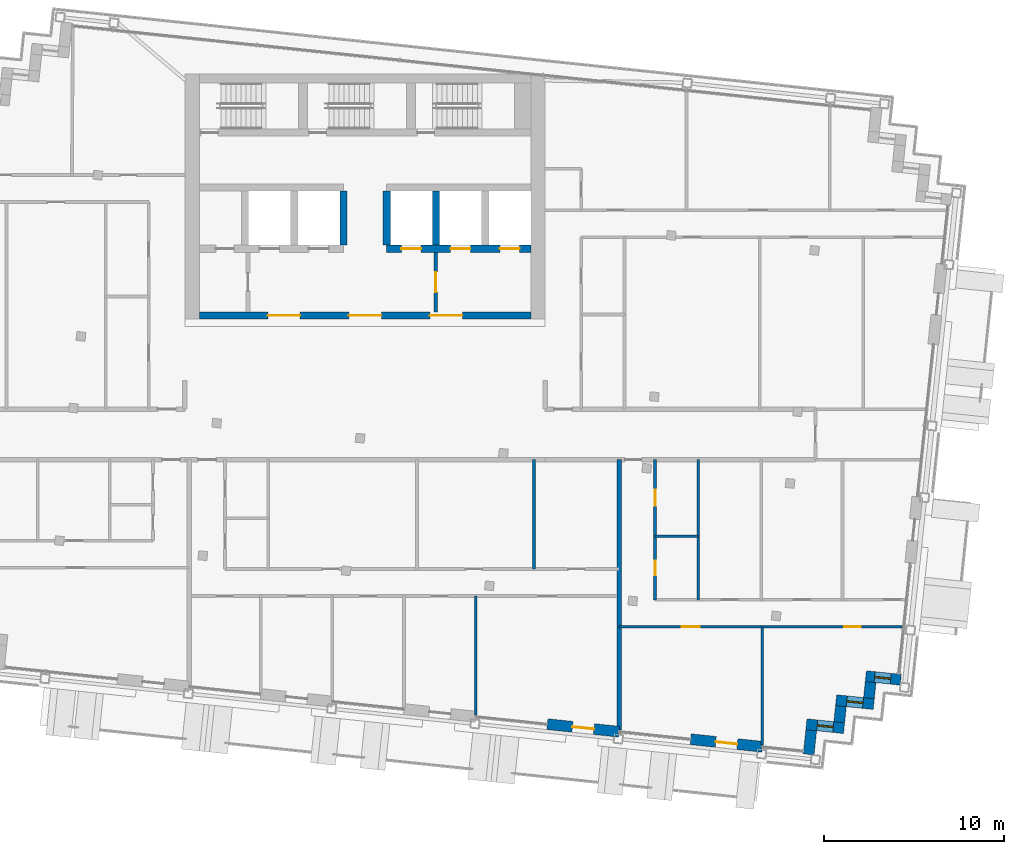
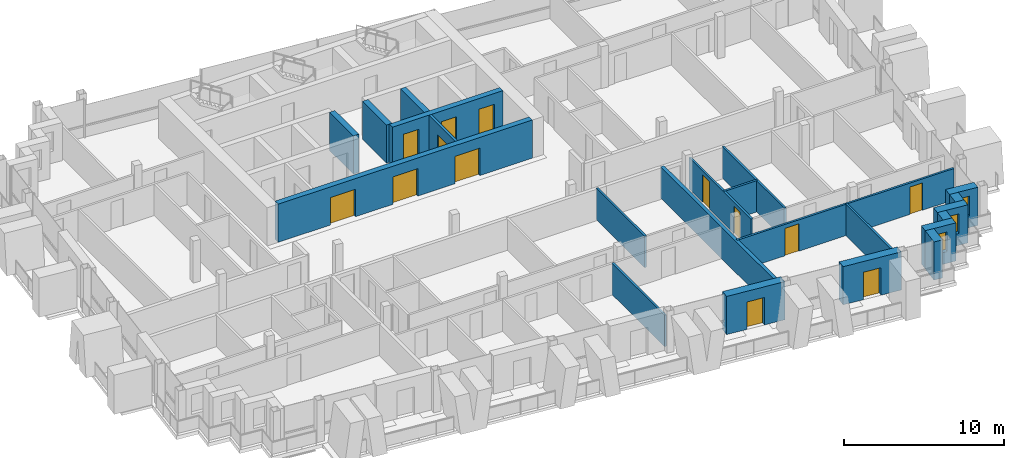
# One storey, part 10 of 16: 22 walls, 13 doors, 3 windows, 16 openings.
"""IFC4 building model written with IfcOpenShell, lengths in metres."""

import ifcopenshell
import ifcopenshell.guid

model = None  # the IFC model being written
_history = None  # IfcOwnerHistory: only IFC2X3 demands one
_inside = {}  # id of a spatial element -> (the spatial element, [elements in it])
_under = {}  # id of a project, library or spatial element -> (it, [spatial elements below it])
_declared = {}  # id of a project -> (the project, [libraries it declares])
_typed = {}  # id of a type object -> (the type object, [elements of that type])
_made_of = {}  # id of a material, layer set ... -> (it, [elements and type objects made of it])


def new_model(schema):
    """Start an empty IFC model of exactly this schema.

    Asked for "IFC4X3", IfcOpenShell would pick the latest addendum, in which some entities
    have other attributes; the version numbers below select the first issue.
    IFC2X3 requires an IfcOwnerHistory on every rooted entity: one is made here for all.
    """
    global model, _history
    if schema == "IFC4X3":
        model = ifcopenshell.file(schema_version=(4, 3, 0, 0))
    else:
        model = ifcopenshell.file(schema=schema)
    _inside.clear()
    _under.clear()
    _declared.clear()
    _typed.clear()
    _made_of.clear()
    _history = None
    if model.schema == "IFC2X3":
        org = make("IfcOrganization", Name="unknown")
        user = make(
            "IfcPersonAndOrganization",
            ThePerson=make("IfcPerson", FamilyName="unknown"),
            TheOrganization=org,
        )
        app = make(
            "IfcApplication",
            ApplicationDeveloper=org,
            Version="unknown",
            ApplicationFullName="unknown",
            ApplicationIdentifier="unknown",
        )
        _history = make(
            "IfcOwnerHistory",
            OwningUser=user,
            OwningApplication=app,
            ChangeAction="ADDED",
            CreationDate=0,
        )
    return model


def make(cls, **values):
    """One entity of the class cls with the attributes given. An attribute that is None is left unset."""
    return model.create_entity(
        cls, **{name: value for name, value in values.items() if value is not None}
    )


def rooted(cls, **values):
    """An entity with a GlobalId (a new one), such as an element, a storey or a relation."""
    return make(cls, GlobalId=ifcopenshell.guid.new(), OwnerHistory=_history, **values)


def si_unit(unit_type, name, prefix=None):
    """IfcSIUnit, for example si_unit("LENGTHUNIT", "METRE", prefix="MILLI")."""
    return make("IfcSIUnit", UnitType=unit_type, Prefix=prefix, Name=name)


def assignment(units):
    """IfcUnitAssignment: the units of a project."""
    return None if units is None else make("IfcUnitAssignment", Units=units)


def point(xyz):
    """IfcCartesianPoint."""
    return None if xyz is None else make("IfcCartesianPoint", Coordinates=xyz)


def direction(xyz):
    """IfcDirection."""
    return None if xyz is None else make("IfcDirection", DirectionRatios=xyz)


def frame(location, z_axis=None, x_axis=None):
    """IfcAxis2Placement3D, a coordinate frame: its origin and axes. An axis left out is left unset."""
    return make(
        "IfcAxis2Placement3D",
        Location=point(location),
        Axis=direction(z_axis),
        RefDirection=direction(x_axis),
    )


def frame_2d(location, x_axis=None):
    """IfcAxis2Placement2D, a coordinate frame in the plane: its origin and x axis."""
    return make(
        "IfcAxis2Placement2D", Location=point(location), RefDirection=direction(x_axis)
    )


def origin():
    """The frame at (0, 0, 0) with its axes left unset."""
    return frame((0.0, 0.0, 0.0))


def place(relative_to, where):
    """IfcLocalPlacement: puts the frame where relative to a parent placement (None: the world)."""
    return make(
        "IfcLocalPlacement", PlacementRelTo=relative_to, RelativePlacement=where
    )


def context(
    kind, dimensions, precision=None, world=None, true_north=None, identifier=None
):
    """IfcGeometricRepresentationContext, for example the 3D "Model" context."""
    return make(
        "IfcGeometricRepresentationContext",
        ContextIdentifier=identifier,
        ContextType=kind,
        CoordinateSpaceDimension=dimensions,
        Precision=precision,
        WorldCoordinateSystem=world,
        TrueNorth=true_north,
    )


def subcontext(parent, identifier, kind, view, scale=None):
    """IfcGeometricRepresentationSubContext, for example "Body" below "Model"."""
    return make(
        "IfcGeometricRepresentationSubContext",
        ContextIdentifier=identifier,
        ContextType=kind,
        ParentContext=parent,
        TargetScale=scale,
        TargetView=view,
    )


def project(units=None, contexts=None):
    """IfcProject with its units and contexts."""
    return rooted(
        "IfcProject",
        Name="project",
        RepresentationContexts=contexts,
        UnitsInContext=assignment(units),
    )


def spatial(cls, under=None, at=None, **own):
    """A site, building, storey or space (cls), placed at a placement, below another one or the project."""
    s = rooted(cls, ObjectPlacement=at, **own)
    if under is not None:
        _under.setdefault(under.id(), (under, []))[1].append(s)
    return s


def profile(cls, at=None, kind="AREA", **sizes):
    """A parametric profile (cls). Its sizes go by their IFC names, for example OverallWidth=200.0."""
    return make(cls, ProfileType=kind, Position=at, **sizes)


def rectangle(**sizes):
    """IfcRectangleProfileDef."""
    return profile("IfcRectangleProfileDef", **sizes)


def extrude(swept, where, along, depth):
    """IfcExtrudedAreaSolid: the profile swept, set in the frame where, extruded along a direction by depth."""
    return make(
        "IfcExtrudedAreaSolid",
        SweptArea=swept,
        Position=where,
        ExtrudedDirection=direction(along),
        Depth=depth,
    )


def shape(context_of_items, identifier, shape_type, items):
    """IfcShapeRepresentation: the items that make up one representation, for example the "Body"."""
    return make(
        "IfcShapeRepresentation",
        ContextOfItems=context_of_items,
        RepresentationIdentifier=identifier,
        RepresentationType=shape_type,
        Items=items,
    )


def material(Name=None, Category=None):
    """IfcMaterial."""
    return make("IfcMaterial", Name=Name, Category=Category)


def layer(
    of_material, thickness, ventilated=None, Name=None, Category=None, Priority=None
):
    """IfcMaterialLayer: one layer of a wall or slab, of a material (None: an air gap)."""
    return make(
        "IfcMaterialLayer",
        Material=of_material,
        LayerThickness=thickness,
        IsVentilated=ventilated,
        Name=Name,
        Category=Category,
        Priority=Priority,
    )


def layer_set(layers, Name=None):
    """IfcMaterialLayerSet."""
    return make("IfcMaterialLayerSet", MaterialLayers=layers, LayerSetName=Name)


def made_of(thing, what):
    """Note that an element or type object is made of a material, layer set ...; save() writes the relation."""
    if what is not None:
        _made_of.setdefault(what.id(), (what, []))[1].append(thing)
    return thing


def type_object(cls, material=None, **own):
    """A type object (cls), such as IfcWallType, which elements share."""
    return made_of(rooted(cls, **own), material)


def element(
    cls,
    number,
    at=None,
    inside=None,
    cuts=None,
    type_object=None,
    material=None,
    context=None,
    identifier="Body",
    shape_type=None,
    held_by="IfcProductDefinitionShape",
    body=None,
    shapes=None,
    **own,
):
    """One element of the class cls, such as IfcWall. Its Tag is "e" and its number.

    at: its placement. inside: the storey or other place that contains it. cuts: it is an
    opening in that element (IfcRelVoidsElement). A single representation is given by context,
    identifier, shape_type and body (its items); several are given by shapes. held_by: the class
    of the entity that holds the representations. save() writes the other relations.
    """
    e = rooted(cls, Tag="e%d" % number, ObjectPlacement=at, **own)
    if body is not None:
        shapes = [shape(context, identifier, shape_type, body)]
    if shapes is not None:
        e.Representation = make(held_by, Representations=shapes)
    if inside is not None:
        _inside.setdefault(inside.id(), (inside, []))[1].append(e)
    if cuts is not None:
        rooted(
            "IfcRelVoidsElement", RelatingBuildingElement=cuts, RelatedOpeningElement=e
        )
    if type_object is not None:
        _typed.setdefault(type_object.id(), (type_object, []))[1].append(e)
    return made_of(e, material)


def fill(opening, filler):
    """IfcRelFillsElement: the door or window that sits in an opening."""
    return rooted(
        "IfcRelFillsElement",
        RelatingOpeningElement=opening,
        RelatedBuildingElement=filler,
    )


def aggregate(whole, parts):
    """IfcRelAggregates: a whole, such as a stair, and the parts it consists of."""
    return rooted("IfcRelAggregates", RelatingObject=whole, RelatedObjects=parts)


def save(model, path):
    """Write the relations noted so far, then the file.

    IfcRelAggregates (storeys below a building ...), IfcRelContainedInSpatialStructure (elements
    in a storey), IfcRelDefinesByType, IfcRelAssociatesMaterial and IfcRelDeclares: one each for
    every whole, place, type object, material and project.
    """
    for whole, parts in _under.values():
        aggregate(whole, parts)
    for where, things in _inside.values():
        rooted(
            "IfcRelContainedInSpatialStructure",
            RelatedElements=things,
            RelatingStructure=where,
        )
    for kind, things in _typed.values():
        rooted("IfcRelDefinesByType", RelatedObjects=things, RelatingType=kind)
    for what, things in _made_of.values():
        rooted("IfcRelAssociatesMaterial", RelatedObjects=things, RelatingMaterial=what)
    for by, libraries in _declared.values():
        rooted("IfcRelDeclares", RelatingContext=by, RelatedDefinitions=libraries)
    model.write(path)


model = new_model("IFC4")

# Units and contexts
model_context = context("Model", 3, precision=1e-05, world=origin(), true_north=direction((0.0, 1.0)))
body_context = subcontext(model_context, "Body", "Model", "MODEL_VIEW")
ifc_project = project(units=[si_unit("LENGTHUNIT", "METRE"), si_unit("AREAUNIT", "SQUARE_METRE"), si_unit("VOLUMEUNIT", "CUBIC_METRE"), si_unit("PLANEANGLEUNIT", "RADIAN"), si_unit("MASSUNIT", "GRAM", prefix="KILO")], contexts=[model_context])

# Site, building, storey
site_placement = place(None, origin())
site = spatial("IfcSite", under=ifc_project, at=site_placement, CompositionType="ELEMENT")
building_placement = place(site_placement, origin())
building = spatial("IfcBuilding", under=site, at=building_placement, Name="Vidyagriha Tower", CompositionType="ELEMENT")
storey_placement = place(building_placement, frame((0.0, 0.0, 256.300048828125)))
storey = spatial("IfcBuildingStorey", under=building, at=storey_placement, Name="L66", CompositionType="ELEMENT", Elevation=256.300048828125)

# Wall, opening, door
ifc_material_1 = material(Name="Precast concrete C40/50 with brick facing", Category="concrete")
ifc_layer_1 = layer(ifc_material_1, 0.60009765625)
ifc_layer_set_1 = layer_set([ifc_layer_1], Name="Precast concrete C40/50 with brick facing")
wall_type_1 = type_object("IfcWallType", Name="Brick-faced precast wall 600", PredefinedType="STANDARD", material=ifc_layer_set_1)
wall_1_placement = place(storey_placement, frame((10.1201171875, -16.085205078125, 0.0), z_axis=(0.0, 0.0, 1.0), x_axis=(0.994519156568, -0.104554517933, 0.0)))
wall_1 = element("IfcWall", 1, at=wall_1_placement, inside=storey, type_object=wall_type_1, Name="Brick door bay wall L66 R21.9", PredefinedType="STANDARD", context=body_context, shape_type="SweptSolid", body=[
    extrude(rectangle(XDim=4.0, YDim=0.60009765625, at=frame_2d((2.0, 0.0))), origin(), (0.0, 0.0, 1.0), 2.919921875),
])
opening_1_placement = place(wall_1_placement, frame((1.39990234375, 0.0, 0.0)))
opening_1 = element("IfcOpeningElement", 2, at=opening_1_placement, cuts=wall_1, Name="Opening D66-58", PredefinedType="OPENING", context=body_context, shape_type="SweptSolid", body=[
    extrude(rectangle(XDim=1.199951171875, YDim=2.10009765625, at=frame_2d((0.60009765625, 1.050048828125))), frame((0.0, 0.31005859375, 0.0), z_axis=(0.0, -1.0, 0.0), x_axis=(1.0, 0.0, 0.0)), (0.0, 0.0, 1.0), 0.6201171875),
])
ifc_material_2 = material(Name="Aluminium framed glazed sliding door", Category="aluminium")
door_type_1 = type_object("IfcDoorType", Name="Balcony sliding door 1200x2100", OperationType="NOTDEFINED", PredefinedType="DOOR", material=ifc_material_2)
door_1_placement = place(opening_1_placement, origin())
door_1 = element("IfcDoor", 3, at=door_1_placement, inside=storey, type_object=door_type_1, Name="Door D66-58", OperationType="SLIDING_TO_LEFT", OverallHeight=2.10009765625, OverallWidth=1.199951171875, PredefinedType="DOOR", context=body_context, shape_type="SweptSolid", body=[
    extrude(rectangle(XDim=1.199951171875, YDim=2.10009765625, at=frame_2d((0.60009765625, 1.050048828125))), frame((0.0, 0.02490234375, 0.0), z_axis=(0.0, -1.0, 0.0), x_axis=(1.0, 0.0, 0.0)), (0.0, 0.0, 1.0), 0.050048828125),
])
fill(opening_1, door_1)

wall_2_placement = place(storey_placement, frame((18.076171875, -16.92138671875, 0.0), z_axis=(0.0, 0.0, 1.0), x_axis=(0.994519156568, -0.104554517933, 0.0)))
wall_2 = element("IfcWall", 4, at=wall_2_placement, inside=storey, type_object=wall_type_1, Name="Brick door bay wall L66 R21.11", PredefinedType="STANDARD", context=body_context, shape_type="SweptSolid", body=[
    extrude(rectangle(XDim=4.0, YDim=0.60009765625, at=frame_2d((2.0, 0.0))), origin(), (0.0, 0.0, 1.0), 2.919921875),
])
opening_2_placement = place(wall_2_placement, frame((1.39990234375, 0.0, 0.0)))
opening_2 = element("IfcOpeningElement", 5, at=opening_2_placement, cuts=wall_2, Name="Opening D66-59", PredefinedType="OPENING", context=body_context, shape_type="SweptSolid", body=[
    extrude(rectangle(XDim=1.199951171875, YDim=2.10009765625, at=frame_2d((0.60009765625, 1.050048828125))), frame((0.0, 0.31005859375, 0.0), z_axis=(0.0, -1.0, 0.0), x_axis=(1.0, 0.0, 0.0)), (0.0, 0.0, 1.0), 0.6201171875),
])
door_2_placement = place(opening_2_placement, origin())
door_2 = element("IfcDoor", 6, at=door_2_placement, inside=storey, type_object=door_type_1, Name="Door D66-59", OperationType="SLIDING_TO_LEFT", OverallHeight=2.10009765625, OverallWidth=1.199951171875, PredefinedType="DOOR", context=body_context, shape_type="SweptSolid", body=[
    extrude(rectangle(XDim=1.199951171875, YDim=2.10009765625, at=frame_2d((0.60009765625, 1.050048828125))), frame((0.0, 0.02490234375, 0.0), z_axis=(0.0, -1.0, 0.0), x_axis=(1.0, 0.0, 0.0)), (0.0, 0.0, 1.0), 0.050048828125),
])
fill(opening_2, door_2)

# Wall
wall_3_placement = place(storey_placement, frame((24.62451171875, -17.760498046875, 0.0), z_axis=(0.0, 0.0, 1.0), x_axis=(0.104355269718, 0.994540083497, 0.0)))
element("IfcWall", 7, at=wall_3_placement, inside=storey, type_object=wall_type_1, Name="Stepped corner wall L66 R22", PredefinedType="STANDARD", context=body_context, shape_type="SweptSolid", body=[
    extrude(rectangle(XDim=1.349853515625, YDim=0.60009765625, at=frame_2d((0.6748046875, 0.0))), origin(), (0.0, 0.0, 1.0), 2.919921875),
])

# Wall, opening, window
wall_4_placement = place(storey_placement, frame((24.49853515625, -16.088134765625, 0.0), z_axis=(0.0, 0.0, 1.0), x_axis=(0.994522640205, -0.104521376379, 0.0)))
wall_4 = element("IfcWall", 8, at=wall_4_placement, inside=storey, type_object=wall_type_1, Name="Stepped corner wall L66 R23", PredefinedType="STANDARD", context=body_context, shape_type="SweptSolid", body=[
    extrude(rectangle(XDim=2.099853515625, YDim=0.60009765625, at=frame_2d((1.0498046875, 0.0))), origin(), (0.0, 0.0, 1.0), 2.919921875),
])
opening_3_placement = place(wall_4_placement, frame((0.60009765625, 0.0, 0.89990234375)))
opening_3 = element("IfcOpeningElement", 9, at=opening_3_placement, cuts=wall_4, Name="Opening WN1", PredefinedType="OPENING", context=body_context, shape_type="SweptSolid", body=[
    extrude(rectangle(XDim=0.89990234375, YDim=1.5, at=frame_2d((0.449951171875, 0.75))), frame((0.0, 0.31005859375, 0.0), z_axis=(0.0, -1.0, 0.0), x_axis=(1.0, 0.0, 0.0)), (0.0, 0.0, 1.0), 0.6201171875),
])
ifc_material_3 = material(Name="Aluminium and glass window", Category="aluminium")
window_type = type_object("IfcWindowType", Name="Reveal window 900x1500", PartitioningType="NOTDEFINED", PredefinedType="WINDOW", material=ifc_material_3)
window_1_placement = place(opening_3_placement, origin())
window_1 = element("IfcWindow", 10, at=window_1_placement, inside=storey, type_object=window_type, Name="Reveal window L66 R23", OverallHeight=1.5, OverallWidth=0.89990234375, PartitioningType="SINGLE_PANEL", PredefinedType="WINDOW", context=body_context, shape_type="SweptSolid", body=[
    extrude(rectangle(XDim=0.89990234375, YDim=1.5, at=frame_2d((0.449951171875, 0.75))), frame((0.0, 0.030029296875, 0.0), z_axis=(0.0, -1.0, 0.0), x_axis=(1.0, 0.0, 0.0)), (0.0, 0.0, 1.0), 0.06005859375),
])
fill(opening_3, window_1)

# Wall
wall_5_placement = place(storey_placement, frame((26.320068359375, -15.97802734375, 0.0), z_axis=(0.0, 0.0, 1.0), x_axis=(0.104444712852, 0.994530694326, 0.0)))
element("IfcWall", 11, at=wall_5_placement, inside=storey, type_object=wall_type_1, Name="Stepped corner wall L66 R24", PredefinedType="STANDARD", context=body_context, shape_type="SweptSolid", body=[
    extrude(rectangle(XDim=0.89990234375, YDim=0.60009765625, at=frame_2d((0.449951171875, 0.0))), origin(), (0.0, 0.0, 1.0), 2.919921875),
])

# Wall, opening, window
wall_6_placement = place(storey_placement, frame((26.147216796875, -14.753173828125, 0.0), z_axis=(0.0, 0.0, 1.0), x_axis=(0.994522640205, -0.104521376379, 0.0)))
wall_6 = element("IfcWall", 12, at=wall_6_placement, inside=storey, type_object=wall_type_1, Name="Stepped corner wall L66 R25", PredefinedType="STANDARD", context=body_context, shape_type="SweptSolid", body=[
    extrude(rectangle(XDim=2.099853515625, YDim=0.60009765625, at=frame_2d((1.0498046875, 0.0))), origin(), (0.0, 0.0, 1.0), 2.919921875),
])
opening_4_placement = place(wall_6_placement, frame((0.599853515625, 0.0, 0.89990234375)))
opening_4 = element("IfcOpeningElement", 13, at=opening_4_placement, cuts=wall_6, Name="Opening WN1", PredefinedType="OPENING", context=body_context, shape_type="SweptSolid", body=[
    extrude(rectangle(XDim=0.89990234375, YDim=1.5, at=frame_2d((0.449951171875, 0.75))), frame((0.0, 0.31005859375, 0.0), z_axis=(0.0, -1.0, 0.0), x_axis=(1.0, 0.0, 0.0)), (0.0, 0.0, 1.0), 0.6201171875),
])
window_2_placement = place(opening_4_placement, origin())
window_2 = element("IfcWindow", 14, at=window_2_placement, inside=storey, type_object=window_type, Name="Reveal window L66 R25", OverallHeight=1.5, OverallWidth=0.89990234375, PartitioningType="SINGLE_PANEL", PredefinedType="WINDOW", context=body_context, shape_type="SweptSolid", body=[
    extrude(rectangle(XDim=0.89990234375, YDim=1.5, at=frame_2d((0.449951171875, 0.75))), frame((0.0, 0.030029296875, 0.0), z_axis=(0.0, -1.0, 0.0), x_axis=(1.0, 0.0, 0.0)), (0.0, 0.0, 1.0), 0.06005859375),
])
fill(opening_4, window_2)

# Wall
wall_7_placement = place(storey_placement, frame((27.968505859375, -14.64306640625, 0.0), z_axis=(0.0, 0.0, 1.0), x_axis=(0.104416541099, 0.994533652495, 0.0)))
element("IfcWall", 15, at=wall_7_placement, inside=storey, type_object=wall_type_1, Name="Stepped corner wall L66 R26", PredefinedType="STANDARD", context=body_context, shape_type="SweptSolid", body=[
    extrude(rectangle(XDim=0.900146484375, YDim=0.60009765625, at=frame_2d((0.4501953125, 0.0))), origin(), (0.0, 0.0, 1.0), 2.919921875),
])

# Wall, opening, window
wall_8_placement = place(storey_placement, frame((27.795654296875, -13.418212890625, 0.0), z_axis=(0.0, 0.0, 1.0), x_axis=(0.994519850893, -0.104547913319, 0.0)))
wall_8 = element("IfcWall", 16, at=wall_8_placement, inside=storey, type_object=wall_type_1, Name="Stepped corner wall L66 R27", PredefinedType="STANDARD", context=body_context, shape_type="SweptSolid", body=[
    extrude(rectangle(XDim=1.949951171875, YDim=0.60009765625, at=frame_2d((0.97509765625, 0.0))), origin(), (0.0, 0.0, 1.0), 2.919921875),
])
opening_5_placement = place(wall_8_placement, frame((0.489990234375, 0.0, 0.89990234375)))
opening_5 = element("IfcOpeningElement", 17, at=opening_5_placement, cuts=wall_8, Name="Opening WN1", PredefinedType="OPENING", context=body_context, shape_type="SweptSolid", body=[
    extrude(rectangle(XDim=0.89990234375, YDim=1.5, at=frame_2d((0.449951171875, 0.75))), frame((0.0, 0.31005859375, 0.0), z_axis=(0.0, -1.0, 0.0), x_axis=(1.0, 0.0, 0.0)), (0.0, 0.0, 1.0), 0.6201171875),
])
window_3_placement = place(opening_5_placement, origin())
window_3 = element("IfcWindow", 18, at=window_3_placement, inside=storey, type_object=window_type, Name="Reveal window L66 R27", OverallHeight=1.5, OverallWidth=0.89990234375, PartitioningType="SINGLE_PANEL", PredefinedType="WINDOW", context=body_context, shape_type="SweptSolid", body=[
    extrude(rectangle(XDim=0.89990234375, YDim=1.5, at=frame_2d((0.449951171875, 0.75))), frame((0.0, 0.030029296875, 0.0), z_axis=(0.0, -1.0, 0.0), x_axis=(1.0, 0.0, 0.0)), (0.0, 0.0, 1.0), 0.06005859375),
])
fill(opening_5, window_3)

# Wall, openings, doors
ifc_material_4 = material(Name="Concrete C60/75", Category="concrete")
ifc_layer_2 = layer(ifc_material_4, 0.39990234375)
ifc_layer_set_2 = layer_set([ifc_layer_2], Name="Concrete C60/75")
wall_type_2 = type_object("IfcWallType", Name="Core shear wall 400 mm", PredefinedType="SHEAR", material=ifc_layer_set_2)
wall_9_placement = place(storey_placement, frame((-9.199951171875, 6.60009765625, 0.0)))
wall_9 = element("IfcWall", 19, at=wall_9_placement, inside=storey, type_object=wall_type_2, Name="Core south wall", PredefinedType="SHEAR", context=body_context, shape_type="SweptSolid", body=[
    extrude(rectangle(XDim=18.39990234375, YDim=0.39990234375, at=frame_2d((9.199951171875, 0.0))), origin(), (0.0, 0.0, 1.0), 2.919921875),
])
opening_6_placement = place(wall_9_placement, frame((8.300048828125, 0.0, 0.0)))
opening_6 = element("IfcOpeningElement", 20, at=opening_6_placement, cuts=wall_9, Name="Opening D66-01", PredefinedType="OPENING", context=body_context, shape_type="SweptSolid", body=[
    extrude(rectangle(XDim=1.800048828125, YDim=2.10009765625, at=frame_2d((0.89990234375, 1.050048828125))), frame((0.0, 0.2099609375, 0.0), z_axis=(0.0, -1.0, 0.0), x_axis=(1.0, 0.0, 0.0)), (0.0, 0.0, 1.0), 0.419921875),
])
opening_7_placement = place(wall_9_placement, frame((3.800048828125, 0.0, 0.0)))
opening_7 = element("IfcOpeningElement", 21, at=opening_7_placement, cuts=wall_9, Name="Opening D66-02", PredefinedType="OPENING", context=body_context, shape_type="SweptSolid", body=[
    extrude(rectangle(XDim=1.800048828125, YDim=2.10009765625, at=frame_2d((0.89990234375, 1.050048828125))), frame((0.0, 0.2099609375, 0.0), z_axis=(0.0, -1.0, 0.0), x_axis=(1.0, 0.0, 0.0)), (0.0, 0.0, 1.0), 0.419921875),
])
opening_8_placement = place(wall_9_placement, frame((12.800048828125, 0.0, 0.0)))
opening_8 = element("IfcOpeningElement", 22, at=opening_8_placement, cuts=wall_9, Name="Opening D66-03", PredefinedType="OPENING", context=body_context, shape_type="SweptSolid", body=[
    extrude(rectangle(XDim=1.800048828125, YDim=2.10009765625, at=frame_2d((0.89990234375, 1.050048828125))), frame((0.0, 0.2099609375, 0.0), z_axis=(0.0, -1.0, 0.0), x_axis=(1.0, 0.0, 0.0)), (0.0, 0.0, 1.0), 0.419921875),
])
ifc_material_5 = material(Name="Hollow metal door leaf")
door_type_2 = type_object("IfcDoorType", Name="Core lobby double door 1800 x 2100 mm EI 60", OperationType="NOTDEFINED", PredefinedType="DOOR", material=ifc_material_5)
door_3_placement = place(opening_6_placement, frame((1.800048828125, 0.0, 0.0), z_axis=(0.0, 0.0, 1.0), x_axis=(-1.0, 0.0, 0.0)))
door_3 = element("IfcDoor", 23, at=door_3_placement, inside=storey, type_object=door_type_2, Name="Core entrance door L66", OperationType="DOUBLE_DOOR_SINGLE_SWING", OverallHeight=2.10009765625, OverallWidth=1.800048828125, PredefinedType="DOOR", context=body_context, shape_type="SweptSolid", body=[
    extrude(rectangle(XDim=1.800048828125, YDim=2.10009765625, at=frame_2d((0.89990234375, 1.050048828125))), frame((0.0, 0.02490234375, 0.0), z_axis=(0.0, -1.0, 0.0), x_axis=(1.0, 0.0, 0.0)), (0.0, 0.0, 1.0), 0.050048828125),
])
fill(opening_6, door_3)
door_4_placement = place(opening_7_placement, frame((1.800048828125, 0.0, 0.0), z_axis=(0.0, 0.0, 1.0), x_axis=(-1.0, 0.0, 0.0)))
door_4 = element("IfcDoor", 24, at=door_4_placement, inside=storey, type_object=door_type_2, Name="Core entrance door west L66", OperationType="DOUBLE_DOOR_SINGLE_SWING", OverallHeight=2.10009765625, OverallWidth=1.800048828125, PredefinedType="DOOR", context=body_context, shape_type="SweptSolid", body=[
    extrude(rectangle(XDim=1.800048828125, YDim=2.10009765625, at=frame_2d((0.89990234375, 1.050048828125))), frame((0.0, 0.02490234375, 0.0), z_axis=(0.0, -1.0, 0.0), x_axis=(1.0, 0.0, 0.0)), (0.0, 0.0, 1.0), 0.050048828125),
])
fill(opening_7, door_4)
door_5_placement = place(opening_8_placement, frame((1.800048828125, 0.0, 0.0), z_axis=(0.0, 0.0, 1.0), x_axis=(-1.0, 0.0, 0.0)))
door_5 = element("IfcDoor", 25, at=door_5_placement, inside=storey, type_object=door_type_2, Name="Core entrance door east L66", OperationType="DOUBLE_DOOR_SINGLE_SWING", OverallHeight=2.10009765625, OverallWidth=1.800048828125, PredefinedType="DOOR", context=body_context, shape_type="SweptSolid", body=[
    extrude(rectangle(XDim=1.800048828125, YDim=2.10009765625, at=frame_2d((0.89990234375, 1.050048828125))), frame((0.0, 0.02490234375, 0.0), z_axis=(0.0, -1.0, 0.0), x_axis=(1.0, 0.0, 0.0)), (0.0, 0.0, 1.0), 0.050048828125),
])
fill(opening_8, door_5)

wall_10_placement = place(storey_placement, frame((1.199951171875, 10.300048828125, 0.0)))
wall_10 = element("IfcWall", 26, at=wall_10_placement, inside=storey, type_object=wall_type_2, Name="Core row N front wall", PredefinedType="SHEAR", context=body_context, shape_type="SweptSolid", body=[
    extrude(rectangle(XDim=8.0, YDim=0.39990234375, at=frame_2d((4.0, 0.0))), origin(), (0.0, 0.0, 1.0), 2.919921875),
])
opening_9_placement = place(wall_10_placement, frame((0.816650390625, 0.0, 0.0)))
opening_9 = element("IfcOpeningElement", 27, at=opening_9_placement, cuts=wall_10, Name="Opening LD66-03", PredefinedType="OPENING", context=body_context, shape_type="SweptSolid", body=[
    extrude(rectangle(XDim=1.10009765625, YDim=2.10009765625, at=frame_2d((0.550048828125, 1.050048828125))), frame((0.0, 0.2099609375, 0.0), z_axis=(0.0, -1.0, 0.0), x_axis=(1.0, 0.0, 0.0)), (0.0, 0.0, 1.0), 0.419921875),
])
opening_10_placement = place(wall_10_placement, frame((3.550048828125, 0.0, 0.0)))
opening_10 = element("IfcOpeningElement", 28, at=opening_10_placement, cuts=wall_10, Name="Opening LD66-04", PredefinedType="OPENING", context=body_context, shape_type="SweptSolid", body=[
    extrude(rectangle(XDim=1.10009765625, YDim=2.10009765625, at=frame_2d((0.550048828125, 1.050048828125))), frame((0.0, 0.2099609375, 0.0), z_axis=(0.0, -1.0, 0.0), x_axis=(1.0, 0.0, 0.0)), (0.0, 0.0, 1.0), 0.419921875),
])
opening_11_placement = place(wall_10_placement, frame((6.283203125, 0.0, 0.0)))
opening_11 = element("IfcOpeningElement", 29, at=opening_11_placement, cuts=wall_10, Name="Opening LD66-05", PredefinedType="OPENING", context=body_context, shape_type="SweptSolid", body=[
    extrude(rectangle(XDim=1.10009765625, YDim=2.10009765625, at=frame_2d((0.550048828125, 1.050048828125))), frame((0.0, 0.2099609375, 0.0), z_axis=(0.0, -1.0, 0.0), x_axis=(1.0, 0.0, 0.0)), (0.0, 0.0, 1.0), 0.419921875),
])
ifc_material_6 = material(Name="Stainless steel sliding door panel", Category="steel")
door_type_3 = type_object("IfcDoorType", Name="Lift landing door 1100 x 2100 mm EI 90", OperationType="NOTDEFINED", PredefinedType="DOOR", material=ifc_material_6)
door_6_placement = place(opening_9_placement, origin())
door_6 = element("IfcDoor", 30, at=door_6_placement, inside=storey, type_object=door_type_3, Name="Landing door HR3 L66", OperationType="SLIDING_TO_LEFT", OverallHeight=2.10009765625, OverallWidth=1.10009765625, PredefinedType="DOOR", context=body_context, shape_type="SweptSolid", body=[
    extrude(rectangle(XDim=1.10009765625, YDim=2.10009765625, at=frame_2d((0.550048828125, 1.050048828125))), frame((0.0, 0.02490234375, 0.0), z_axis=(0.0, -1.0, 0.0), x_axis=(1.0, 0.0, 0.0)), (0.0, 0.0, 1.0), 0.050048828125),
])
fill(opening_9, door_6)
door_7_placement = place(opening_10_placement, origin())
door_7 = element("IfcDoor", 31, at=door_7_placement, inside=storey, type_object=door_type_3, Name="Landing door FF1 L66", OperationType="SLIDING_TO_LEFT", OverallHeight=2.10009765625, OverallWidth=1.10009765625, PredefinedType="DOOR", context=body_context, shape_type="SweptSolid", body=[
    extrude(rectangle(XDim=1.10009765625, YDim=2.10009765625, at=frame_2d((0.550048828125, 1.050048828125))), frame((0.0, 0.02490234375, 0.0), z_axis=(0.0, -1.0, 0.0), x_axis=(1.0, 0.0, 0.0)), (0.0, 0.0, 1.0), 0.050048828125),
])
fill(opening_10, door_7)
door_8_placement = place(opening_11_placement, origin())
door_8 = element("IfcDoor", 32, at=door_8_placement, inside=storey, type_object=door_type_3, Name="Landing door FF2 L66", OperationType="SLIDING_TO_LEFT", OverallHeight=2.10009765625, OverallWidth=1.10009765625, PredefinedType="DOOR", context=body_context, shape_type="SweptSolid", body=[
    extrude(rectangle(XDim=1.10009765625, YDim=2.10009765625, at=frame_2d((0.550048828125, 1.050048828125))), frame((0.0, 0.02490234375, 0.0), z_axis=(0.0, -1.0, 0.0), x_axis=(1.0, 0.0, 0.0)), (0.0, 0.0, 1.0), 0.050048828125),
])
fill(opening_11, door_8)

# Walls
for number, where, z_axis, x_axis, name in (
    (33, (-1.199951171875, 10.5, 0.0), (0.0, 0.0, 1.0), (0.0, 1.0, 0.0), "Core bay wall N3"),
    (34, (1.199951171875, 10.5, 0.0), (0.0, 0.0, 1.0), (0.0, 1.0, 0.0), "Core bay wall N4"),
    (35, (3.933349609375, 10.5, 0.0), (0.0, 0.0, 1.0), (0.0, 1.0, 0.0), "Core bay wall N5"),
):
    element("IfcWall", number, at=place(storey_placement, frame(where, z_axis=z_axis, x_axis=x_axis)), inside=storey, type_object=wall_type_2, Name=name, PredefinedType="SHEAR", context=body_context, shape_type="SweptSolid", body=[
        extrude(rectangle(XDim=3.0, YDim=0.39990234375, at=frame_2d((1.5, 0.0))), origin(), (0.0, 0.0, 1.0), 2.919921875),
    ])
ifc_material_7 = material(Name="Fired clay brick masonry", Category="masonry")
ifc_layer_3 = layer(ifc_material_7, 0.25)
ifc_layer_set_3 = layer_set([ifc_layer_3], Name="Fired clay brick masonry")
wall_type_3 = type_object("IfcWallType", Name="Fired clay brick demising wall 250", PredefinedType="PARTITIONING", material=ifc_layer_set_3)
wall_11_placement = place(storey_placement, frame((14.097900390625, -1.39990234375, 0.0), z_axis=(0.0, 0.0, 1.0), x_axis=(0.0, -1.0, 0.0)))
element("IfcWall", 36, at=wall_11_placement, inside=storey, type_object=wall_type_3, Name="Wall all-L66-w052", PredefinedType="PARTITIONING", context=body_context, shape_type="SweptSolid", body=[
    extrude(rectangle(XDim=15.012939453125, YDim=0.25, at=frame_2d((7.50634765625, 0.0))), origin(), (0.0, 0.0, 1.0), 2.39990234375),
])
ifc_material_8 = material(Name="Gypsum board partition")
ifc_layer_4 = layer(ifc_material_8, 0.14990234375)
ifc_layer_set_4 = layer_set([ifc_layer_4], Name="Gypsum board partition")
wall_type_4 = type_object("IfcWallType", Name="Gypsum board partition 150", PredefinedType="PARTITIONING", material=ifc_layer_set_4)
wall_12_placement = place(storey_placement, frame((9.3798828125, -1.39990234375, 0.0), z_axis=(0.0, 0.0, 1.0), x_axis=(0.0, -1.0, 0.0)))
element("IfcWall", 37, at=wall_12_placement, inside=storey, type_object=wall_type_4, Name="Wall all-L66-w019", PredefinedType="PARTITIONING", context=body_context, shape_type="SweptSolid", body=[
    extrude(rectangle(XDim=6.07470703125, YDim=0.14990234375, at=frame_2d((3.037353515625, 0.0))), origin(), (0.0, 0.0, 1.0), 2.39990234375),
])
wall_13_placement = place(storey_placement, frame((6.141845703125, -8.974609375, 0.0), z_axis=(0.0, 0.0, 1.0), x_axis=(0.0, -1.0, 0.0)))
element("IfcWall", 38, at=wall_13_placement, inside=storey, type_object=wall_type_4, Name="Wall all-L66-w033", PredefinedType="PARTITIONING", context=body_context, shape_type="SweptSolid", body=[
    extrude(rectangle(XDim=6.60205078125, YDim=0.14990234375, at=frame_2d((3.301025390625, 0.0))), origin(), (0.0, 0.0, 1.0), 2.39990234375),
])
wall_14_placement = place(storey_placement, frame((18.498046875, -5.64990234375, 0.0), z_axis=(0.0, 0.0, 1.0), x_axis=(-1.0, 0.0, 0.0)))
element("IfcWall", 39, at=wall_14_placement, inside=storey, type_object=wall_type_4, Name="Wall all-L66-w039", PredefinedType="PARTITIONING", context=body_context, shape_type="SweptSolid", body=[
    extrude(rectangle(XDim=2.400146484375, YDim=0.14990234375, at=frame_2d((1.2001953125, 0.0))), origin(), (0.0, 0.0, 1.0), 2.39990234375),
])
wall_15_placement = place(storey_placement, frame((18.498046875, -1.39990234375, 0.0), z_axis=(0.0, 0.0, 1.0), x_axis=(0.0, -1.0, 0.0)))
element("IfcWall", 40, at=wall_15_placement, inside=storey, type_object=wall_type_4, Name="Wall all-L66-w040", PredefinedType="PARTITIONING", context=body_context, shape_type="SweptSolid", body=[
    extrude(rectangle(XDim=7.78173828125, YDim=0.14990234375, at=frame_2d((3.890869140625, 0.0))), origin(), (0.0, 0.0, 1.0), 2.39990234375),
])

# Wall, openings, doors
wall_16_placement = place(storey_placement, frame((29.813720703125, -10.681640625, 0.0), z_axis=(0.0, 0.0, 1.0), x_axis=(-1.0, 0.0, 0.0)))
wall_16 = element("IfcWall", 41, at=wall_16_placement, inside=storey, type_object=wall_type_4, Name="Wall all-L66-w047", PredefinedType="PARTITIONING", context=body_context, shape_type="SweptSolid", body=[
    extrude(rectangle(XDim=15.7158203125, YDim=0.14990234375, at=frame_2d((7.85791015625, 0.0))), origin(), (0.0, 0.0, 1.0), 2.39990234375),
])
opening_12_placement = place(wall_16_placement, frame((11.237548828125, 0.0, 0.0)))
opening_12 = element("IfcOpeningElement", 42, at=opening_12_placement, cuts=wall_16, Name="Opening D66-32", PredefinedType="OPENING", context=body_context, shape_type="SweptSolid", body=[
    extrude(rectangle(XDim=1.0, YDim=2.10009765625, at=frame_2d((0.5, 1.050048828125))), frame((0.0, 0.0849609375, 0.0), z_axis=(0.0, -1.0, 0.0), x_axis=(1.0, 0.0, 0.0)), (0.0, 0.0, 1.0), 0.169921875),
])
opening_13_placement = place(wall_16_placement, frame((2.30810546875, 0.0, 0.0)))
opening_13 = element("IfcOpeningElement", 43, at=opening_13_placement, cuts=wall_16, Name="Opening D66-33", PredefinedType="OPENING", context=body_context, shape_type="SweptSolid", body=[
    extrude(rectangle(XDim=0.89990234375, YDim=2.10009765625, at=frame_2d((0.449951171875, 1.050048828125))), frame((0.0, 0.0849609375, 0.0), z_axis=(0.0, -1.0, 0.0), x_axis=(1.0, 0.0, 0.0)), (0.0, 0.0, 1.0), 0.169921875),
])
ifc_material_9 = material(Name="Timber door leaf", Category="wood")
door_type_4 = type_object("IfcDoorType", Name="Room door 1000x2100", OperationType="NOTDEFINED", PredefinedType="DOOR", material=ifc_material_9)
door_9_placement = place(opening_12_placement, origin())
door_9 = element("IfcDoor", 44, at=door_9_placement, inside=storey, type_object=door_type_4, Name="Door D66-32", OperationType="SINGLE_SWING_RIGHT", OverallHeight=2.10009765625, OverallWidth=1.0, PredefinedType="DOOR", context=body_context, shape_type="SweptSolid", body=[
    extrude(rectangle(XDim=1.0, YDim=2.10009765625, at=frame_2d((0.5, 1.050048828125))), frame((0.0, 0.02490234375, 0.0), z_axis=(0.0, -1.0, 0.0), x_axis=(1.0, 0.0, 0.0)), (0.0, 0.0, 1.0), 0.050048828125),
])
fill(opening_12, door_9)
ifc_material_10 = material(Name="Timber door leaf", Category="wood")
door_type_5 = type_object("IfcDoorType", Name="Room door 900x2100", OperationType="NOTDEFINED", PredefinedType="DOOR", material=ifc_material_10)
door_10_placement = place(opening_13_placement, origin())
door_10 = element("IfcDoor", 45, at=door_10_placement, inside=storey, type_object=door_type_5, Name="Door D66-33", OperationType="SINGLE_SWING_LEFT", OverallHeight=2.10009765625, OverallWidth=0.89990234375, PredefinedType="DOOR", context=body_context, shape_type="SweptSolid", body=[
    extrude(rectangle(XDim=0.89990234375, YDim=2.10009765625, at=frame_2d((0.449951171875, 1.050048828125))), frame((0.0, 0.02490234375, 0.0), z_axis=(0.0, -1.0, 0.0), x_axis=(1.0, 0.0, 0.0)), (0.0, 0.0, 1.0), 0.050048828125),
])
fill(opening_13, door_10)

# Wall
wall_17_placement = place(storey_placement, frame((22.05419921875, -10.681640625, 0.0), z_axis=(0.0, 0.0, 1.0), x_axis=(0.0, -1.0, 0.0)))
element("IfcWall", 46, at=wall_17_placement, inside=storey, type_object=wall_type_4, Name="Wall all-L66-w050", PredefinedType="PARTITIONING", context=body_context, shape_type="SweptSolid", body=[
    extrude(rectangle(XDim=6.5673828125, YDim=0.14990234375, at=frame_2d((3.28369140625, 0.0))), origin(), (0.0, 0.0, 1.0), 2.39990234375),
])

# Wall, openings, doors
ifc_material_11 = material(Name="Moisture resistant gypsum board partition")
ifc_layer_5 = layer(ifc_material_11, 0.14990234375)
ifc_layer_set_5 = layer_set([ifc_layer_5], Name="Moisture resistant gypsum board partition")
wall_type_5 = type_object("IfcWallType", Name="Gypsum board wet-area partition 150", PredefinedType="PARTITIONING", material=ifc_layer_set_5)
wall_18_placement = place(storey_placement, frame((16.097900390625, -1.39990234375, 0.0), z_axis=(0.0, 0.0, 1.0), x_axis=(0.0, -1.0, 0.0)))
wall_18 = element("IfcWall", 47, at=wall_18_placement, inside=storey, type_object=wall_type_5, Name="Wall all-L66-w036", PredefinedType="PARTITIONING", context=body_context, shape_type="SweptSolid", body=[
    extrude(rectangle(XDim=7.78173828125, YDim=0.14990234375, at=frame_2d((3.890869140625, 0.0))), origin(), (0.0, 0.0, 1.0), 2.39990234375),
])
opening_14_placement = place(wall_18_placement, frame((1.675048828125, 0.0, 0.0)))
opening_14 = element("IfcOpeningElement", 48, at=opening_14_placement, cuts=wall_18, Name="Opening D66-27", PredefinedType="OPENING", context=body_context, shape_type="SweptSolid", body=[
    extrude(rectangle(XDim=0.89990234375, YDim=2.10009765625, at=frame_2d((0.449951171875, 1.050048828125))), frame((0.0, 0.0849609375, 0.0), z_axis=(0.0, -1.0, 0.0), x_axis=(1.0, 0.0, 0.0)), (0.0, 0.0, 1.0), 0.169921875),
])
opening_15_placement = place(wall_18_placement, frame((5.61572265625, 0.0, 0.0)))
opening_15 = element("IfcOpeningElement", 49, at=opening_15_placement, cuts=wall_18, Name="Opening D66-28", PredefinedType="OPENING", context=body_context, shape_type="SweptSolid", body=[
    extrude(rectangle(XDim=0.800048828125, YDim=2.10009765625, at=frame_2d((0.39990234375, 1.050048828125))), frame((0.0, 0.0849609375, 0.0), z_axis=(0.0, -1.0, 0.0), x_axis=(1.0, 0.0, 0.0)), (0.0, 0.0, 1.0), 0.169921875),
])
ifc_material_12 = material(Name="Timber door leaf", Category="wood")
door_type_6 = type_object("IfcDoorType", Name="Bathroom door 800x2100", OperationType="NOTDEFINED", PredefinedType="DOOR", material=ifc_material_12)
door_11_placement = place(opening_15_placement, origin())
door_11 = element("IfcDoor", 50, at=door_11_placement, inside=storey, type_object=door_type_6, Name="Door D66-28", OperationType="SINGLE_SWING_RIGHT", OverallHeight=2.10009765625, OverallWidth=0.800048828125, PredefinedType="DOOR", context=body_context, shape_type="SweptSolid", body=[
    extrude(rectangle(XDim=0.800048828125, YDim=2.10009765625, at=frame_2d((0.39990234375, 1.050048828125))), frame((0.0, 0.02490234375, 0.0), z_axis=(0.0, -1.0, 0.0), x_axis=(1.0, 0.0, 0.0)), (0.0, 0.0, 1.0), 0.050048828125),
])
fill(opening_15, door_11)
ifc_material_13 = material(Name="Timber door leaf", Category="wood")
door_type_7 = type_object("IfcDoorType", Name="Kitchen door 900x2100", OperationType="NOTDEFINED", PredefinedType="DOOR", material=ifc_material_13)
door_12_placement = place(opening_14_placement, origin())
door_12 = element("IfcDoor", 51, at=door_12_placement, inside=storey, type_object=door_type_7, Name="Door D66-27", OperationType="SINGLE_SWING_LEFT", OverallHeight=2.10009765625, OverallWidth=0.89990234375, PredefinedType="DOOR", context=body_context, shape_type="SweptSolid", body=[
    extrude(rectangle(XDim=0.89990234375, YDim=2.10009765625, at=frame_2d((0.449951171875, 1.050048828125))), frame((0.0, 0.02490234375, 0.0), z_axis=(0.0, -1.0, 0.0), x_axis=(1.0, 0.0, 0.0)), (0.0, 0.0, 1.0), 0.050048828125),
])
fill(opening_14, door_12)

# Wall, opening, door
ifc_material_14 = material(Name="Blockwork 15 MPa", Category="masonry")
ifc_layer_6 = layer(ifc_material_14, 0.199951171875)
ifc_layer_set_6 = layer_set([ifc_layer_6], Name="Blockwork 15 MPa")
wall_type_6 = type_object("IfcWallType", Name="Service room partition 200 mm", PredefinedType="PARTITIONING", material=ifc_layer_set_6)
wall_19_placement = place(storey_placement, frame((3.933349609375, 6.800048828125, 0.0), z_axis=(0.0, 0.0, 1.0), x_axis=(0.0, 1.0, 0.0)))
wall_19 = element("IfcWall", 52, at=wall_19_placement, inside=storey, type_object=wall_type_6, Name="Fire-fighting lobby west wall", PredefinedType="PARTITIONING", context=body_context, shape_type="SweptSolid", body=[
    extrude(rectangle(XDim=3.300048828125, YDim=0.199951171875, at=frame_2d((1.64990234375, 0.0))), origin(), (0.0, 0.0, 1.0), 2.919921875),
])
opening_16_placement = place(wall_19_placement, frame((1.10009765625, 0.0, 0.0)))
opening_16 = element("IfcOpeningElement", 53, at=opening_16_placement, cuts=wall_19, Name="Opening D66-05", PredefinedType="OPENING", context=body_context, shape_type="SweptSolid", body=[
    extrude(rectangle(XDim=1.10009765625, YDim=2.10009765625, at=frame_2d((0.550048828125, 1.050048828125))), frame((0.0, 0.10986328125, 0.0), z_axis=(0.0, -1.0, 0.0), x_axis=(1.0, 0.0, 0.0)), (0.0, 0.0, 1.0), 0.219970703125),
])
ifc_material_15 = material(Name="Hollow metal door leaf")
door_type_8 = type_object("IfcDoorType", Name="Fire-fighting lobby door 1100 x 2100 mm EI 90", OperationType="NOTDEFINED", PredefinedType="DOOR", material=ifc_material_15)
door_13_placement = place(opening_16_placement, origin())
door_13 = element("IfcDoor", 54, at=door_13_placement, inside=storey, type_object=door_type_8, Name="Fire-fighting lobby door L66", OperationType="SINGLE_SWING_RIGHT", OverallHeight=2.10009765625, OverallWidth=1.10009765625, PredefinedType="DOOR", context=body_context, shape_type="SweptSolid", body=[
    extrude(rectangle(XDim=1.10009765625, YDim=2.10009765625, at=frame_2d((0.550048828125, 1.050048828125))), frame((0.0, 0.02490234375, 0.0), z_axis=(0.0, -1.0, 0.0), x_axis=(1.0, 0.0, 0.0)), (0.0, 0.0, 1.0), 0.050048828125),
])
fill(opening_16, door_13)

save(model, "model.ifc")
